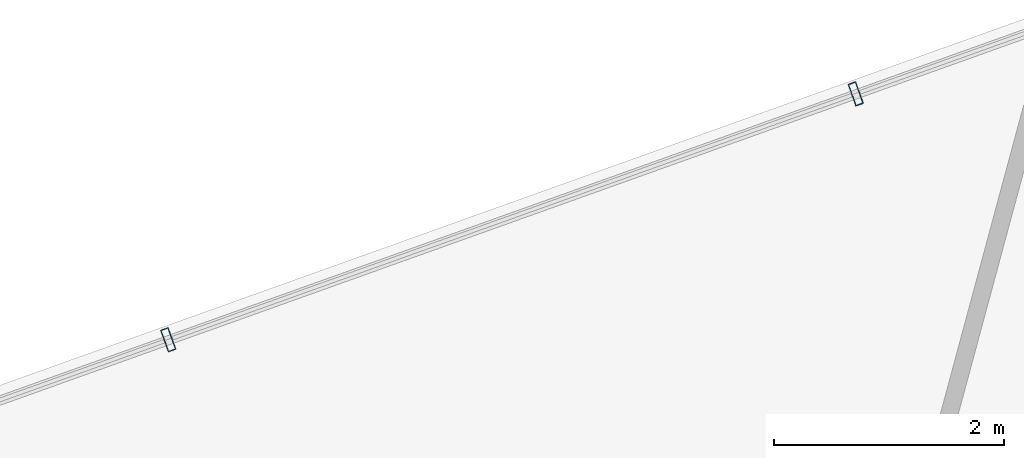
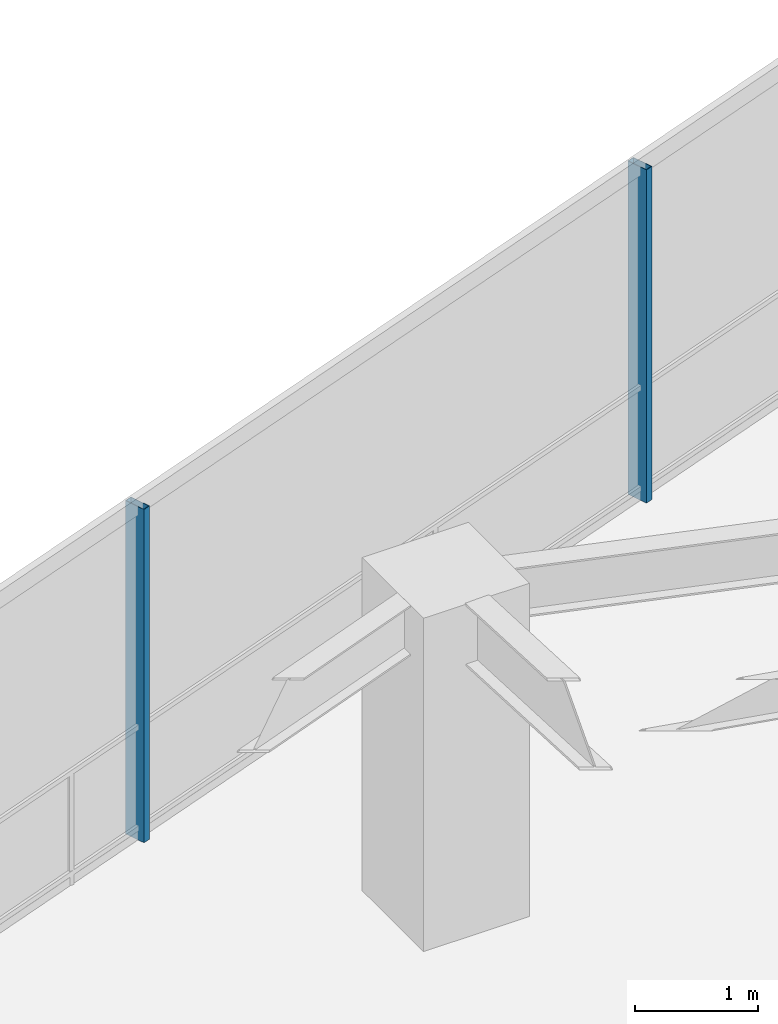
# One storey, part 14 of 21: 2 members, 1 element without a shape of its own.
"""IFC4 building model written with IfcOpenShell, lengths in metres."""

from ifc_helpers import new_model, si_unit, direction, frame, origin, origin_2d, place, context, subcontext, project, spatial, hollow_rectangle, extrude, material, layer, layer_set, material_profile, profile_set, type_object, element, aggregate, save


model = new_model("IFC4")

# Units and contexts
model_context = context("Model", 3, precision=1e-05, world=origin(), true_north=direction((0.0, 1.0)))
body_context = subcontext(model_context, "Body", "Model", "MODEL_VIEW")
ifc_project = project(units=[si_unit("LENGTHUNIT", "METRE"), si_unit("AREAUNIT", "SQUARE_METRE"), si_unit("VOLUMEUNIT", "CUBIC_METRE"), si_unit("PLANEANGLEUNIT", "RADIAN"), si_unit("MASSUNIT", "GRAM", prefix="KILO")], contexts=[model_context])

# Site, building, storey
site_placement = place(None, origin())
site = spatial("IfcSite", under=ifc_project, at=site_placement, CompositionType="ELEMENT")
building_placement = place(site_placement, origin())
building = spatial("IfcBuilding", under=site, at=building_placement, Name="Qarnah Convention Tower", CompositionType="ELEMENT")
storey_placement = place(building_placement, frame((0.0, 0.0, 140.10009765625)))
storey = spatial("IfcBuildingStorey", under=building, at=storey_placement, Name="L37", CompositionType="ELEMENT", Elevation=140.10009765625)

# Curtain wall, members
ifc_material_1 = material(Name="Tempered Low-E dark glass", Category="glass")
ifc_layer = layer(ifc_material_1, 0.172119140625)
ifc_layer_set = layer_set([ifc_layer], Name="Tempered Low-E dark glass")
curtain_wall_type = type_object("IfcCurtainWallType", Name="CWS-03", PredefinedType="NOTDEFINED", material=ifc_layer_set)
curtain_wall_placement = place(storey_placement, origin())
curtain_wall = element("IfcCurtainWall", 1, at=curtain_wall_placement, inside=storey, type_object=curtain_wall_type, Name="L37 unitised curtain wall CW-L37-F3", PredefinedType="NOTDEFINED")
ifc_material_2 = material(Name="Black anodised aluminium", Category="aluminium")
ifc_material_profile = material_profile(ifc_material_2, hollow_rectangle(XDim=0.070068359375, YDim=0.199951171875, WallThickness=0.0048828125, at=origin_2d()), Name="MUL-70X200")
ifc_profile_set = profile_set([ifc_material_profile], Name="Black anodised aluminium")
member_type = type_object("IfcMemberType", Name="MUL-T3", PredefinedType="MULLION", material=ifc_profile_set)
member_1_placement = place(storey_placement, frame((34.97998046875, 43.326904296875, 0.0), z_axis=(0.0, 0.0, 1.0), x_axis=(0.941577546205, 0.336796265543, 0.0)))
member_1 = element("IfcMember", 2, at=member_1_placement, type_object=member_type, Name="CW-L37-F3 mullion 4", PredefinedType="MULLION", context=body_context, shape_type="SweptSolid", body=[
    extrude(hollow_rectangle(XDim=0.070068359375, YDim=0.199951171875, WallThickness=0.0048828125, at=origin_2d()), origin(), (0.0, 0.0, 1.0), 3.31982421875),
])
member_2_placement = place(storey_placement, frame((40.946044921875, 45.4609375, 0.0), z_axis=(0.0, 0.0, 1.0), x_axis=(0.941577546205, 0.336796265543, 0.0)))
member_2 = element("IfcMember", 3, at=member_2_placement, type_object=member_type, Name="CW-L37-F3 mullion 5", PredefinedType="MULLION", context=body_context, shape_type="SweptSolid", body=[
    extrude(hollow_rectangle(XDim=0.070068359375, YDim=0.199951171875, WallThickness=0.0048828125, at=origin_2d()), origin(), (0.0, 0.0, 1.0), 3.31982421875),
])
aggregate(curtain_wall, [member_1, member_2])

save(model, "model.ifc")
